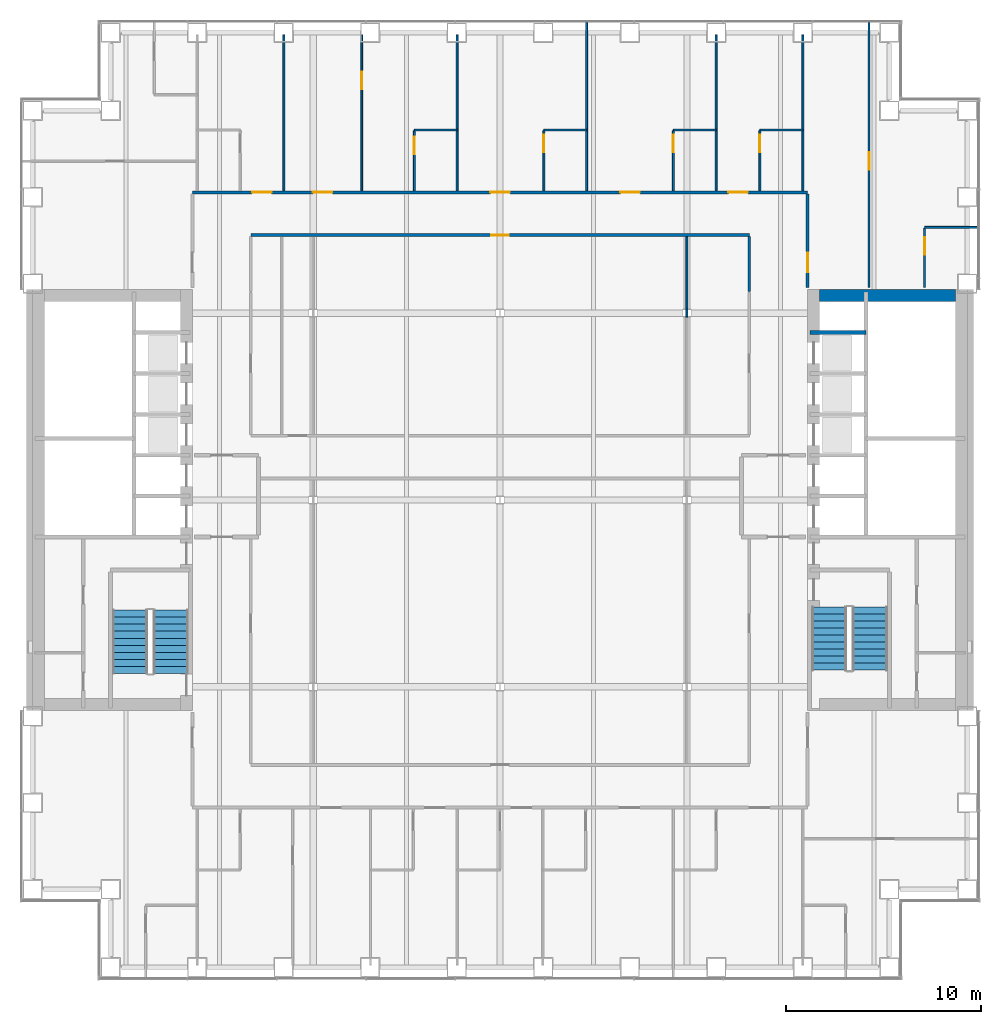
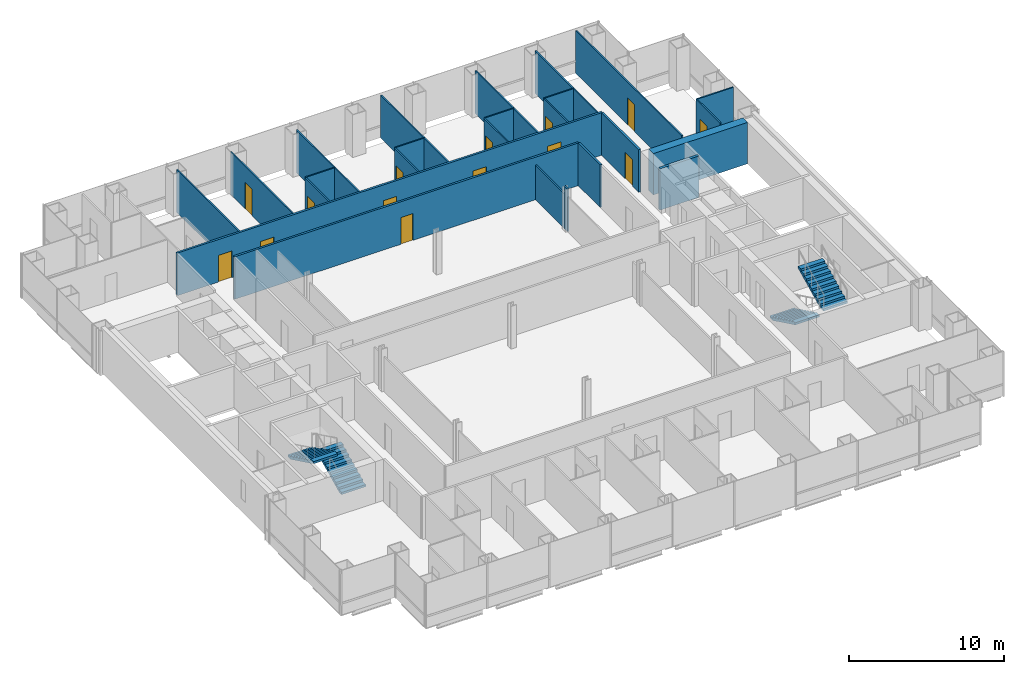
# One storey, part 19 of 21: 25 walls, 14 doors, 4 stair flights, 14 openings, 2 elements without a shape of their own.
"""IFC4 building model written with IfcOpenShell, lengths in metres."""

from ifc_helpers import new_model, si_unit, direction, frame, frame_2d, origin, place, context, subcontext, project, spatial, polyline, rectangle, outline, extrude, material, layer, layer_set, type_object, element, fill, aggregate, save


model = new_model("IFC4")

# Units and contexts
model_context = context("Model", 3, precision=1e-05, world=origin(), true_north=direction((0.0, 1.0)))
body_context = subcontext(model_context, "Body", "Model", "MODEL_VIEW")
ifc_project = project(units=[si_unit("LENGTHUNIT", "METRE"), si_unit("AREAUNIT", "SQUARE_METRE"), si_unit("VOLUMEUNIT", "CUBIC_METRE"), si_unit("PLANEANGLEUNIT", "RADIAN"), si_unit("MASSUNIT", "GRAM", prefix="KILO")], contexts=[model_context])

# Site, building, storey
site_placement = place(None, origin())
site = spatial("IfcSite", under=ifc_project, at=site_placement, CompositionType="ELEMENT")
building_placement = place(site_placement, origin())
building = spatial("IfcBuilding", under=site, at=building_placement, Name="Cobrizo Arcos Hotel Tower", CompositionType="ELEMENT")
storey_placement = place(building_placement, frame((0.0, 0.0, 42.5)))
storey = spatial("IfcBuildingStorey", under=building, at=storey_placement, Name="L08", CompositionType="ELEMENT", Elevation=42.5)

# Wall, opening, door
ifc_material_1 = material(Name="Gypsum board partition")
ifc_layer_1 = layer(ifc_material_1, 0.14990234375)
ifc_layer_set_1 = layer_set([ifc_layer_1], Name="Corridor wall EI 60 150")
wall_type_1 = type_object("IfcWallType", Name="Corridor wall EI 60 150", PredefinedType="PARTITIONING", material=ifc_layer_set_1)
wall_1_placement = place(storey_placement, frame((-12.800048828125, 13.60009765625, 0.0), z_axis=(0.0, 0.0, 1.0), x_axis=(1.0, 0.0, 0.0)))
wall_1 = element("IfcWall", 1, at=wall_1_placement, inside=storey, type_object=wall_type_1, Name="Partition 035", PredefinedType="PARTITIONING", context=body_context, shape_type="SweptSolid", body=[
    extrude(rectangle(XDim=25.60009765625, YDim=0.14990234375, at=frame_2d((12.800048828125, 0.0))), origin(), (0.0, 0.0, 1.0), 3.35009765625),
])
opening_1_placement = place(wall_1_placement, frame((12.35009765625, 0.0, 0.0)))
opening_1 = element("IfcOpeningElement", 2, at=opening_1_placement, cuts=wall_1, Name="Opening RD-12", PredefinedType="OPENING", context=body_context, shape_type="SweptSolid", body=[
    extrude(rectangle(XDim=0.89990234375, YDim=2.10009765625, at=frame_2d((0.449951171875, 1.050048828125))), frame((0.0, 0.0869140625, 0.0), z_axis=(0.0, -1.0, 0.0), x_axis=(1.0, 0.0, 0.0)), (0.0, 0.0, 1.0), 0.173828125),
])
ifc_material_2 = material(Name="Timber door leaf", Category="wood")
door_type_1 = type_object("IfcDoorType", Name="Room door FD30 900x2100", OperationType="SINGLE_SWING_LEFT", PredefinedType="DOOR", material=ifc_material_2)
door_1_placement = place(opening_1_placement, origin())
door_1 = element("IfcDoor", 3, at=door_1_placement, inside=storey, type_object=door_type_1, Name="Door RD-12", OperationType="SINGLE_SWING_LEFT", OverallHeight=2.10009765625, OverallWidth=0.89990234375, PredefinedType="DOOR", context=body_context, shape_type="SweptSolid", body=[
    extrude(rectangle(XDim=0.89990234375, YDim=2.10009765625, at=frame_2d((0.449951171875, 1.050048828125))), frame((0.0, 0.02490234375, 0.0), z_axis=(0.0, -1.0, 0.0), x_axis=(1.0, 0.0, 0.0)), (0.0, 0.0, 1.0), 0.050048828125),
])
fill(opening_1, door_1)

# Wall, openings, doors
wall_2_placement = place(storey_placement, frame((-15.800048828125, 15.800048828125, 0.0), z_axis=(0.0, 0.0, 1.0), x_axis=(1.0, 0.0, 0.0)))
wall_2 = element("IfcWall", 4, at=wall_2_placement, inside=storey, type_object=wall_type_1, Name="Partition 037", PredefinedType="PARTITIONING", context=body_context, shape_type="SweptSolid", body=[
    extrude(rectangle(XDim=31.60009765625, YDim=0.14990234375, at=frame_2d((15.800048828125, 0.0))), origin(), (0.0, 0.0, 1.0), 3.35009765625),
])
opening_2_placement = place(wall_2_placement, frame((3.06689453125, 0.0, 0.0)))
opening_2 = element("IfcOpeningElement", 5, at=opening_2_placement, cuts=wall_2, Name="Opening GD-01", PredefinedType="OPENING", context=body_context, shape_type="SweptSolid", body=[
    extrude(rectangle(XDim=1.0, YDim=2.10009765625, at=frame_2d((0.5, 1.050048828125))), frame((0.0, 0.0869140625, 0.0), z_axis=(0.0, -1.0, 0.0), x_axis=(1.0, 0.0, 0.0)), (0.0, 0.0, 1.0), 0.173828125),
])
opening_3_placement = place(wall_2_placement, frame((6.18896484375, 0.0, 0.0)))
opening_3 = element("IfcOpeningElement", 6, at=opening_3_placement, cuts=wall_2, Name="Opening GD-02", PredefinedType="OPENING", context=body_context, shape_type="SweptSolid", body=[
    extrude(rectangle(XDim=1.0, YDim=2.10009765625, at=frame_2d((0.5, 1.050048828125))), frame((0.0, 0.0869140625, 0.0), z_axis=(0.0, -1.0, 0.0), x_axis=(1.0, 0.0, 0.0)), (0.0, 0.0, 1.0), 0.173828125),
])
opening_4_placement = place(wall_2_placement, frame((15.31103515625, 0.0, 0.0)))
opening_4 = element("IfcOpeningElement", 7, at=opening_4_placement, cuts=wall_2, Name="Opening GD-03", PredefinedType="OPENING", context=body_context, shape_type="SweptSolid", body=[
    extrude(rectangle(XDim=1.0, YDim=2.10009765625, at=frame_2d((0.5, 1.050048828125))), frame((0.0, 0.0869140625, 0.0), z_axis=(0.0, -1.0, 0.0), x_axis=(1.0, 0.0, 0.0)), (0.0, 0.0, 1.0), 0.173828125),
])
opening_5_placement = place(wall_2_placement, frame((21.97705078125, 0.0, 0.0)))
opening_5 = element("IfcOpeningElement", 8, at=opening_5_placement, cuts=wall_2, Name="Opening GD-04", PredefinedType="OPENING", context=body_context, shape_type="SweptSolid", body=[
    extrude(rectangle(XDim=1.0, YDim=2.10009765625, at=frame_2d((0.5, 1.050048828125))), frame((0.0, 0.0869140625, 0.0), z_axis=(0.0, -1.0, 0.0), x_axis=(1.0, 0.0, 0.0)), (0.0, 0.0, 1.0), 0.173828125),
])
opening_6_placement = place(wall_2_placement, frame((27.533935546875, 0.0, 0.0)))
opening_6 = element("IfcOpeningElement", 9, at=opening_6_placement, cuts=wall_2, Name="Opening GD-05", PredefinedType="OPENING", context=body_context, shape_type="SweptSolid", body=[
    extrude(rectangle(XDim=1.0, YDim=2.10009765625, at=frame_2d((0.5, 1.050048828125))), frame((0.0, 0.0869140625, 0.0), z_axis=(0.0, -1.0, 0.0), x_axis=(1.0, 0.0, 0.0)), (0.0, 0.0, 1.0), 0.173828125),
])
door_type_2 = type_object("IfcDoorType", Name="Guest room door FD30S 1000x2100", OperationType="SINGLE_SWING_LEFT", PredefinedType="DOOR", material=ifc_material_2)
door_2_placement = place(opening_2_placement, origin())
door_2 = element("IfcDoor", 10, at=door_2_placement, inside=storey, type_object=door_type_2, Name="Door GD-01", OperationType="SINGLE_SWING_RIGHT", OverallHeight=2.10009765625, OverallWidth=1.0, PredefinedType="DOOR", context=body_context, shape_type="SweptSolid", body=[
    extrude(rectangle(XDim=1.0, YDim=2.10009765625, at=frame_2d((0.5, 1.050048828125))), frame((0.0, 0.02490234375, 0.0), z_axis=(0.0, -1.0, 0.0), x_axis=(1.0, 0.0, 0.0)), (0.0, 0.0, 1.0), 0.050048828125),
])
fill(opening_2, door_2)
door_3_placement = place(opening_3_placement, origin())
door_3 = element("IfcDoor", 11, at=door_3_placement, inside=storey, type_object=door_type_2, Name="Door GD-02", OperationType="SINGLE_SWING_LEFT", OverallHeight=2.10009765625, OverallWidth=1.0, PredefinedType="DOOR", context=body_context, shape_type="SweptSolid", body=[
    extrude(rectangle(XDim=1.0, YDim=2.10009765625, at=frame_2d((0.5, 1.050048828125))), frame((0.0, 0.02490234375, 0.0), z_axis=(0.0, -1.0, 0.0), x_axis=(1.0, 0.0, 0.0)), (0.0, 0.0, 1.0), 0.050048828125),
])
fill(opening_3, door_3)
door_4_placement = place(opening_4_placement, origin())
door_4 = element("IfcDoor", 12, at=door_4_placement, inside=storey, type_object=door_type_2, Name="Door GD-03", OperationType="SINGLE_SWING_LEFT", OverallHeight=2.10009765625, OverallWidth=1.0, PredefinedType="DOOR", context=body_context, shape_type="SweptSolid", body=[
    extrude(rectangle(XDim=1.0, YDim=2.10009765625, at=frame_2d((0.5, 1.050048828125))), frame((0.0, 0.02490234375, 0.0), z_axis=(0.0, -1.0, 0.0), x_axis=(1.0, 0.0, 0.0)), (0.0, 0.0, 1.0), 0.050048828125),
])
fill(opening_4, door_4)
door_5_placement = place(opening_5_placement, origin())
door_5 = element("IfcDoor", 13, at=door_5_placement, inside=storey, type_object=door_type_2, Name="Door GD-04", OperationType="SINGLE_SWING_RIGHT", OverallHeight=2.10009765625, OverallWidth=1.0, PredefinedType="DOOR", context=body_context, shape_type="SweptSolid", body=[
    extrude(rectangle(XDim=1.0, YDim=2.10009765625, at=frame_2d((0.5, 1.050048828125))), frame((0.0, 0.02490234375, 0.0), z_axis=(0.0, -1.0, 0.0), x_axis=(1.0, 0.0, 0.0)), (0.0, 0.0, 1.0), 0.050048828125),
])
fill(opening_5, door_5)
door_6_placement = place(opening_6_placement, origin())
door_6 = element("IfcDoor", 14, at=door_6_placement, inside=storey, type_object=door_type_2, Name="Door GD-05", OperationType="SINGLE_SWING_RIGHT", OverallHeight=2.10009765625, OverallWidth=1.0, PredefinedType="DOOR", context=body_context, shape_type="SweptSolid", body=[
    extrude(rectangle(XDim=1.0, YDim=2.10009765625, at=frame_2d((0.5, 1.050048828125))), frame((0.0, 0.02490234375, 0.0), z_axis=(0.0, -1.0, 0.0), x_axis=(1.0, 0.0, 0.0)), (0.0, 0.0, 1.0), 0.050048828125),
])
fill(opening_6, door_6)

# Wall
wall_3_placement = place(storey_placement, frame((12.800048828125, 10.699951171875, 0.0), z_axis=(0.0, 0.0, 1.0), x_axis=(0.0, 1.0, 0.0)))
element("IfcWall", 15, at=wall_3_placement, inside=storey, type_object=wall_type_1, Name="Partition 097", PredefinedType="PARTITIONING", context=body_context, shape_type="SweptSolid", body=[
    extrude(rectangle(XDim=2.824951171875, YDim=0.14990234375, at=frame_2d((1.41259765625, 0.0))), origin(), (0.0, 0.0, 1.0), 3.35009765625),
])

# Wall, opening, door
wall_4_placement = place(storey_placement, frame((15.800048828125, 10.919921875, 0.0), z_axis=(0.0, 0.0, 1.0), x_axis=(0.0, 1.0, 0.0)))
wall_4 = element("IfcWall", 16, at=wall_4_placement, inside=storey, type_object=wall_type_1, Name="Partition 102", PredefinedType="PARTITIONING", context=body_context, shape_type="SweptSolid", body=[
    extrude(rectangle(XDim=4.80517578125, YDim=0.14990234375, at=frame_2d((2.402587890625, 0.0))), origin(), (0.0, 0.0, 1.0), 3.35009765625),
])
opening_7_placement = place(wall_4_placement, frame((0.780029296875, 0.0, 0.0)))
opening_7 = element("IfcOpeningElement", 17, at=opening_7_placement, cuts=wall_4, Name="Opening GD-14", PredefinedType="OPENING", context=body_context, shape_type="SweptSolid", body=[
    extrude(rectangle(XDim=1.0, YDim=2.10009765625, at=frame_2d((0.5, 1.050048828125))), frame((0.0, 0.0869140625, 0.0), z_axis=(0.0, -1.0, 0.0), x_axis=(1.0, 0.0, 0.0)), (0.0, 0.0, 1.0), 0.173828125),
])
door_7_placement = place(opening_7_placement, origin())
door_7 = element("IfcDoor", 18, at=door_7_placement, inside=storey, type_object=door_type_2, Name="Door GD-14", OperationType="SINGLE_SWING_LEFT", OverallHeight=2.10009765625, OverallWidth=1.0, PredefinedType="DOOR", context=body_context, shape_type="SweptSolid", body=[
    extrude(rectangle(XDim=1.0, YDim=2.10009765625, at=frame_2d((0.5, 1.050048828125))), frame((0.0, 0.02490234375, 0.0), z_axis=(0.0, -1.0, 0.0), x_axis=(1.0, 0.0, 0.0)), (0.0, 0.0, 1.0), 0.050048828125),
])
fill(opening_7, door_7)

# Walls
ifc_layer_2 = layer(ifc_material_1, 0.10009765625)
ifc_layer_set_2 = layer_set([ifc_layer_2], Name="Partition EI 30 100")
wall_type_2 = type_object("IfcWallType", Name="Partition EI 30 100", PredefinedType="PARTITIONING", material=ifc_layer_set_2)
wall_5_placement = place(storey_placement, frame((21.800048828125, 14.0, 0.0), z_axis=(0.0, 0.0, 1.0), x_axis=(1.0, 0.0, 0.0)))
element("IfcWall", 19, at=wall_5_placement, inside=storey, type_object=wall_type_2, Name="Partition 036", PredefinedType="PARTITIONING", context=body_context, shape_type="SweptSolid", body=[
    extrude(rectangle(XDim=2.72998046875, YDim=0.10009765625, at=frame_2d((1.364990234375, 0.0))), origin(), (0.0, 0.0, 1.0), 3.35009765625),
])
for number, where, z_axis, x_axis, name in (
    (20, (-4.39990234375, 19.0, 0.0), (0.0, 0.0, 1.0), (1.0, 0.0, 0.0), "Partition 040"),
    (21, (2.25, 19.0, 0.0), (0.0, 0.0, 1.0), (1.0, 0.0, 0.0), "Partition 041"),
):
    element("IfcWall", number, at=place(storey_placement, frame(where, z_axis=z_axis, x_axis=x_axis)), inside=storey, type_object=wall_type_2, Name=name, PredefinedType="PARTITIONING", context=body_context, shape_type="SweptSolid", body=[
        extrude(rectangle(XDim=2.199951171875, YDim=0.10009765625, at=frame_2d((1.10009765625, 0.0))), origin(), (0.0, 0.0, 1.0), 3.35009765625),
    ])
wall_6_placement = place(storey_placement, frame((8.89990234375, 19.0, 0.0), z_axis=(0.0, 0.0, 1.0), x_axis=(1.0, 0.0, 0.0)))
element("IfcWall", 22, at=wall_6_placement, inside=storey, type_object=wall_type_2, Name="Partition 042", PredefinedType="PARTITIONING", context=body_context, shape_type="SweptSolid", body=[
    extrude(rectangle(XDim=2.2001953125, YDim=0.10009765625, at=frame_2d((1.10009765625, 0.0))), origin(), (0.0, 0.0, 1.0), 3.35009765625),
])
wall_7_placement = place(storey_placement, frame((13.35009765625, 19.0, 0.0), z_axis=(0.0, 0.0, 1.0), x_axis=(1.0, 0.0, 0.0)))
element("IfcWall", 23, at=wall_7_placement, inside=storey, type_object=wall_type_2, Name="Partition 043", PredefinedType="PARTITIONING", context=body_context, shape_type="SweptSolid", body=[
    extrude(rectangle(XDim=2.199951171875, YDim=0.10009765625, at=frame_2d((1.10009765625, 0.0))), origin(), (0.0, 0.0, 1.0), 3.35009765625),
])
wall_8_placement = place(storey_placement, frame((-11.10009765625, 15.875, 0.0), z_axis=(0.0, 0.0, 1.0), x_axis=(0.0, 1.0, 0.0)))
element("IfcWall", 24, at=wall_8_placement, inside=storey, type_object=wall_type_2, Name="Partition 061", PredefinedType="PARTITIONING", context=body_context, shape_type="SweptSolid", body=[
    extrude(rectangle(XDim=8.0048828125, YDim=0.10009765625, at=frame_2d((4.00244140625, 0.0))), origin(), (0.0, 0.0, 1.0), 3.35009765625),
])

# Wall, opening, door
wall_9_placement = place(storey_placement, frame((-7.10009765625, 15.875, 0.0), z_axis=(0.0, 0.0, 1.0), x_axis=(0.0, 1.0, 0.0)))
wall_9 = element("IfcWall", 25, at=wall_9_placement, inside=storey, type_object=wall_type_2, Name="Partition 071", PredefinedType="PARTITIONING", context=body_context, shape_type="SweptSolid", body=[
    extrude(rectangle(XDim=8.0048828125, YDim=0.10009765625, at=frame_2d((4.00244140625, 0.0))), origin(), (0.0, 0.0, 1.0), 3.35009765625),
])
opening_8_placement = place(wall_9_placement, frame((5.215087890625, 0.0, 0.0)))
opening_8 = element("IfcOpeningElement", 26, at=opening_8_placement, cuts=wall_9, Name="Opening RD-04", PredefinedType="OPENING", context=body_context, shape_type="SweptSolid", body=[
    extrude(rectangle(XDim=0.89990234375, YDim=2.10009765625, at=frame_2d((0.449951171875, 1.050048828125))), frame((0.0, 0.06201171875, 0.0), z_axis=(0.0, -1.0, 0.0), x_axis=(1.0, 0.0, 0.0)), (0.0, 0.0, 1.0), 0.1240234375),
])
door_8_placement = place(opening_8_placement, origin())
door_8 = element("IfcDoor", 27, at=door_8_placement, inside=storey, type_object=door_type_1, Name="Door RD-04", OperationType="SINGLE_SWING_LEFT", OverallHeight=2.10009765625, OverallWidth=0.89990234375, PredefinedType="DOOR", context=body_context, shape_type="SweptSolid", body=[
    extrude(rectangle(XDim=0.89990234375, YDim=2.10009765625, at=frame_2d((0.449951171875, 1.050048828125))), frame((0.0, 0.02490234375, 0.0), z_axis=(0.0, -1.0, 0.0), x_axis=(1.0, 0.0, 0.0)), (0.0, 0.0, 1.0), 0.050048828125),
])
fill(opening_8, door_8)

wall_10_placement = place(storey_placement, frame((-4.39990234375, 15.875, 0.0), z_axis=(0.0, 0.0, 1.0), x_axis=(0.0, 1.0, 0.0)))
wall_10 = element("IfcWall", 28, at=wall_10_placement, inside=storey, type_object=wall_type_2, Name="Partition 074", PredefinedType="PARTITIONING", context=body_context, shape_type="SweptSolid", body=[
    extrude(rectangle(XDim=3.074951171875, YDim=0.10009765625, at=frame_2d((1.53759765625, 0.0))), origin(), (0.0, 0.0, 1.0), 3.35009765625),
])
opening_9_placement = place(wall_10_placement, frame((1.875, 0.0, 0.0)))
opening_9 = element("IfcOpeningElement", 29, at=opening_9_placement, cuts=wall_10, Name="Opening ED-03", PredefinedType="OPENING", context=body_context, shape_type="SweptSolid", body=[
    extrude(rectangle(XDim=0.89990234375, YDim=2.10009765625, at=frame_2d((0.449951171875, 1.050048828125))), frame((0.0, 0.06201171875, 0.0), z_axis=(0.0, -1.0, 0.0), x_axis=(1.0, 0.0, 0.0)), (0.0, 0.0, 1.0), 0.1240234375),
])
door_type_3 = type_object("IfcDoorType", Name="En-suite door 900x2100", OperationType="SINGLE_SWING_LEFT", PredefinedType="DOOR", material=ifc_material_2)
door_9_placement = place(opening_9_placement, origin())
door_9 = element("IfcDoor", 30, at=door_9_placement, inside=storey, type_object=door_type_3, Name="Door ED-03", OperationType="SINGLE_SWING_RIGHT", OverallHeight=2.10009765625, OverallWidth=0.89990234375, PredefinedType="DOOR", context=body_context, shape_type="SweptSolid", body=[
    extrude(rectangle(XDim=0.89990234375, YDim=2.10009765625, at=frame_2d((0.449951171875, 1.050048828125))), frame((0.0, 0.02490234375, 0.0), z_axis=(0.0, -1.0, 0.0), x_axis=(1.0, 0.0, 0.0)), (0.0, 0.0, 1.0), 0.050048828125),
])
fill(opening_9, door_9)

# Wall
wall_11_placement = place(storey_placement, frame((-2.199951171875, 15.875, 0.0), z_axis=(0.0, 0.0, 1.0), x_axis=(0.0, 1.0, 0.0)))
element("IfcWall", 31, at=wall_11_placement, inside=storey, type_object=wall_type_2, Name="Partition 076", PredefinedType="PARTITIONING", context=body_context, shape_type="SweptSolid", body=[
    extrude(rectangle(XDim=8.0048828125, YDim=0.10009765625, at=frame_2d((4.00244140625, 0.0))), origin(), (0.0, 0.0, 1.0), 3.35009765625),
])

# Wall, opening, door
wall_12_placement = place(storey_placement, frame((2.25, 15.875, 0.0), z_axis=(0.0, 0.0, 1.0), x_axis=(0.0, 1.0, 0.0)))
wall_12 = element("IfcWall", 32, at=wall_12_placement, inside=storey, type_object=wall_type_2, Name="Partition 079", PredefinedType="PARTITIONING", context=body_context, shape_type="SweptSolid", body=[
    extrude(rectangle(XDim=3.074951171875, YDim=0.10009765625, at=frame_2d((1.53759765625, 0.0))), origin(), (0.0, 0.0, 1.0), 3.35009765625),
])
opening_10_placement = place(wall_12_placement, frame((1.970947265625, 0.0, 0.0)))
opening_10 = element("IfcOpeningElement", 33, at=opening_10_placement, cuts=wall_12, Name="Opening ED-04", PredefinedType="OPENING", context=body_context, shape_type="SweptSolid", body=[
    extrude(rectangle(XDim=0.89990234375, YDim=2.10009765625, at=frame_2d((0.449951171875, 1.050048828125))), frame((0.0, 0.06201171875, 0.0), z_axis=(0.0, -1.0, 0.0), x_axis=(1.0, 0.0, 0.0)), (0.0, 0.0, 1.0), 0.1240234375),
])
door_10_placement = place(opening_10_placement, origin())
door_10 = element("IfcDoor", 34, at=door_10_placement, inside=storey, type_object=door_type_3, Name="Door ED-04", OperationType="SINGLE_SWING_RIGHT", OverallHeight=2.10009765625, OverallWidth=0.89990234375, PredefinedType="DOOR", context=body_context, shape_type="SweptSolid", body=[
    extrude(rectangle(XDim=0.89990234375, YDim=2.10009765625, at=frame_2d((0.449951171875, 1.050048828125))), frame((0.0, 0.02490234375, 0.0), z_axis=(0.0, -1.0, 0.0), x_axis=(1.0, 0.0, 0.0)), (0.0, 0.0, 1.0), 0.050048828125),
])
fill(opening_10, door_10)

# Wall
wall_13_placement = place(storey_placement, frame((4.449951171875, 15.875, 0.0), z_axis=(0.0, 0.0, 1.0), x_axis=(0.0, 1.0, 0.0)))
element("IfcWall", 35, at=wall_13_placement, inside=storey, type_object=wall_type_2, Name="Partition 081", PredefinedType="PARTITIONING", context=body_context, shape_type="SweptSolid", body=[
    extrude(rectangle(XDim=8.655029296875, YDim=0.10009765625, at=frame_2d((4.32763671875, 0.0))), origin(), (0.0, 0.0, 1.0), 3.35009765625),
])

# Wall, opening, door
wall_14_placement = place(storey_placement, frame((8.89990234375, 15.875, 0.0), z_axis=(0.0, 0.0, 1.0), x_axis=(0.0, 1.0, 0.0)))
wall_14 = element("IfcWall", 36, at=wall_14_placement, inside=storey, type_object=wall_type_2, Name="Partition 083", PredefinedType="PARTITIONING", context=body_context, shape_type="SweptSolid", body=[
    extrude(rectangle(XDim=3.074951171875, YDim=0.10009765625, at=frame_2d((1.53759765625, 0.0))), origin(), (0.0, 0.0, 1.0), 3.35009765625),
])
opening_11_placement = place(wall_14_placement, frame((1.970947265625, 0.0, 0.0)))
opening_11 = element("IfcOpeningElement", 37, at=opening_11_placement, cuts=wall_14, Name="Opening ED-05", PredefinedType="OPENING", context=body_context, shape_type="SweptSolid", body=[
    extrude(rectangle(XDim=0.89990234375, YDim=2.10009765625, at=frame_2d((0.449951171875, 1.050048828125))), frame((0.0, 0.06201171875, 0.0), z_axis=(0.0, -1.0, 0.0), x_axis=(1.0, 0.0, 0.0)), (0.0, 0.0, 1.0), 0.1240234375),
])
door_11_placement = place(opening_11_placement, origin())
door_11 = element("IfcDoor", 38, at=door_11_placement, inside=storey, type_object=door_type_3, Name="Door ED-05", OperationType="SINGLE_SWING_LEFT", OverallHeight=2.10009765625, OverallWidth=0.89990234375, PredefinedType="DOOR", context=body_context, shape_type="SweptSolid", body=[
    extrude(rectangle(XDim=0.89990234375, YDim=2.10009765625, at=frame_2d((0.449951171875, 1.050048828125))), frame((0.0, 0.02490234375, 0.0), z_axis=(0.0, -1.0, 0.0), x_axis=(1.0, 0.0, 0.0)), (0.0, 0.0, 1.0), 0.050048828125),
])
fill(opening_11, door_11)

# Walls
wall_15_placement = place(storey_placement, frame((9.60009765625, 9.39599609375, 0.0), z_axis=(0.0, 0.0, 1.0), x_axis=(0.0, 1.0, 0.0)))
element("IfcWall", 39, at=wall_15_placement, inside=storey, type_object=wall_type_2, Name="Partition 090", PredefinedType="PARTITIONING", context=body_context, shape_type="SweptSolid", body=[
    extrude(rectangle(XDim=0.407958984375, YDim=0.10009765625, at=frame_2d((0.2041015625, 0.0))), origin(), (0.0, 0.0, 1.0), 3.35009765625),
])
wall_16_placement = place(storey_placement, frame((9.60009765625, 9.803955078125, 0.0), z_axis=(0.0, 0.0, 1.0), x_axis=(0.0, 1.0, 0.0)))
element("IfcWall", 40, at=wall_16_placement, inside=storey, type_object=wall_type_2, Name="Partition 091", PredefinedType="PARTITIONING", context=body_context, shape_type="SweptSolid", body=[
    extrude(rectangle(XDim=3.720947265625, YDim=0.10009765625, at=frame_2d((1.8603515625, 0.0))), origin(), (0.0, 0.0, 1.0), 2.72802734375),
])
wall_17_placement = place(storey_placement, frame((11.10009765625, 15.875, 0.0), z_axis=(0.0, 0.0, 1.0), x_axis=(0.0, 1.0, 0.0)))
element("IfcWall", 41, at=wall_17_placement, inside=storey, type_object=wall_type_2, Name="Partition 093", PredefinedType="PARTITIONING", context=body_context, shape_type="SweptSolid", body=[
    extrude(rectangle(XDim=8.0048828125, YDim=0.10009765625, at=frame_2d((4.00244140625, 0.0))), origin(), (0.0, 0.0, 1.0), 3.35009765625),
])

# Wall, opening, door
wall_18_placement = place(storey_placement, frame((13.35009765625, 15.875, 0.0), z_axis=(0.0, 0.0, 1.0), x_axis=(0.0, 1.0, 0.0)))
wall_18 = element("IfcWall", 42, at=wall_18_placement, inside=storey, type_object=wall_type_2, Name="Partition 098", PredefinedType="PARTITIONING", context=body_context, shape_type="SweptSolid", body=[
    extrude(rectangle(XDim=3.074951171875, YDim=0.10009765625, at=frame_2d((1.53759765625, 0.0))), origin(), (0.0, 0.0, 1.0), 3.35009765625),
])
opening_12_placement = place(wall_18_placement, frame((1.970947265625, 0.0, 0.0)))
opening_12 = element("IfcOpeningElement", 43, at=opening_12_placement, cuts=wall_18, Name="Opening ED-06", PredefinedType="OPENING", context=body_context, shape_type="SweptSolid", body=[
    extrude(rectangle(XDim=0.89990234375, YDim=2.10009765625, at=frame_2d((0.449951171875, 1.050048828125))), frame((0.0, 0.06201171875, 0.0), z_axis=(0.0, -1.0, 0.0), x_axis=(1.0, 0.0, 0.0)), (0.0, 0.0, 1.0), 0.1240234375),
])
door_12_placement = place(opening_12_placement, origin())
door_12 = element("IfcDoor", 44, at=door_12_placement, inside=storey, type_object=door_type_3, Name="Door ED-06", OperationType="SINGLE_SWING_RIGHT", OverallHeight=2.10009765625, OverallWidth=0.89990234375, PredefinedType="DOOR", context=body_context, shape_type="SweptSolid", body=[
    extrude(rectangle(XDim=0.89990234375, YDim=2.10009765625, at=frame_2d((0.449951171875, 1.050048828125))), frame((0.0, 0.02490234375, 0.0), z_axis=(0.0, -1.0, 0.0), x_axis=(1.0, 0.0, 0.0)), (0.0, 0.0, 1.0), 0.050048828125),
])
fill(opening_12, door_12)

# Wall
wall_19_placement = place(storey_placement, frame((15.550048828125, 15.875, 0.0), z_axis=(0.0, 0.0, 1.0), x_axis=(0.0, 1.0, 0.0)))
element("IfcWall", 45, at=wall_19_placement, inside=storey, type_object=wall_type_2, Name="Partition 100", PredefinedType="PARTITIONING", context=body_context, shape_type="SweptSolid", body=[
    extrude(rectangle(XDim=8.0048828125, YDim=0.10009765625, at=frame_2d((4.00244140625, 0.0))), origin(), (0.0, 0.0, 1.0), 3.35009765625),
])

# Wall, opening, door
wall_20_placement = place(storey_placement, frame((18.949951171875, 10.919921875, 0.0), z_axis=(0.0, 0.0, 1.0), x_axis=(0.0, 1.0, 0.0)))
wall_20 = element("IfcWall", 46, at=wall_20_placement, inside=storey, type_object=wall_type_2, Name="Partition 105", PredefinedType="PARTITIONING", context=body_context, shape_type="SweptSolid", body=[
    extrude(rectangle(XDim=13.610107421875, YDim=0.10009765625, at=frame_2d((6.80517578125, 0.0))), origin(), (0.0, 0.0, 1.0), 3.35009765625),
])
opening_13_placement = place(wall_20_placement, frame((6.030029296875, 0.0, 0.0)))
opening_13 = element("IfcOpeningElement", 47, at=opening_13_placement, cuts=wall_20, Name="Opening RD-08", PredefinedType="OPENING", context=body_context, shape_type="SweptSolid", body=[
    extrude(rectangle(XDim=0.89990234375, YDim=2.10009765625, at=frame_2d((0.449951171875, 1.050048828125))), frame((0.0, 0.06201171875, 0.0), z_axis=(0.0, -1.0, 0.0), x_axis=(1.0, 0.0, 0.0)), (0.0, 0.0, 1.0), 0.1240234375),
])
door_13_placement = place(opening_13_placement, origin())
door_13 = element("IfcDoor", 48, at=door_13_placement, inside=storey, type_object=door_type_1, Name="Door RD-08", OperationType="SINGLE_SWING_RIGHT", OverallHeight=2.10009765625, OverallWidth=0.89990234375, PredefinedType="DOOR", context=body_context, shape_type="SweptSolid", body=[
    extrude(rectangle(XDim=0.89990234375, YDim=2.10009765625, at=frame_2d((0.449951171875, 1.050048828125))), frame((0.0, 0.02490234375, 0.0), z_axis=(0.0, -1.0, 0.0), x_axis=(1.0, 0.0, 0.0)), (0.0, 0.0, 1.0), 0.050048828125),
])
fill(opening_13, door_13)

wall_21_placement = place(storey_placement, frame((21.800048828125, 10.919921875, 0.0), z_axis=(0.0, 0.0, 1.0), x_axis=(0.0, 1.0, 0.0)))
wall_21 = element("IfcWall", 49, at=wall_21_placement, inside=storey, type_object=wall_type_2, Name="Partition 108", PredefinedType="PARTITIONING", context=body_context, shape_type="SweptSolid", body=[
    extrude(rectangle(XDim=3.030029296875, YDim=0.10009765625, at=frame_2d((1.51513671875, 0.0))), origin(), (0.0, 0.0, 1.0), 3.35009765625),
])
opening_14_placement = place(wall_21_placement, frame((1.669921875, 0.0, 0.0)))
opening_14 = element("IfcOpeningElement", 50, at=opening_14_placement, cuts=wall_21, Name="Opening ED-15", PredefinedType="OPENING", context=body_context, shape_type="SweptSolid", body=[
    extrude(rectangle(XDim=0.89990234375, YDim=2.10009765625, at=frame_2d((0.449951171875, 1.050048828125))), frame((0.0, 0.06201171875, 0.0), z_axis=(0.0, -1.0, 0.0), x_axis=(1.0, 0.0, 0.0)), (0.0, 0.0, 1.0), 0.1240234375),
])
door_14_placement = place(opening_14_placement, origin())
door_14 = element("IfcDoor", 51, at=door_14_placement, inside=storey, type_object=door_type_3, Name="Door ED-15", OperationType="SINGLE_SWING_LEFT", OverallHeight=2.10009765625, OverallWidth=0.89990234375, PredefinedType="DOOR", context=body_context, shape_type="SweptSolid", body=[
    extrude(rectangle(XDim=0.89990234375, YDim=2.10009765625, at=frame_2d((0.449951171875, 1.050048828125))), frame((0.0, 0.02490234375, 0.0), z_axis=(0.0, -1.0, 0.0), x_axis=(1.0, 0.0, 0.0)), (0.0, 0.0, 1.0), 0.050048828125),
])
fill(opening_14, door_14)

# Walls
ifc_material_3 = material(Name="Concrete f'c 60 MPa", Category="concrete")
ifc_layer_3 = layer(ifc_material_3, 0.60009765625)
ifc_layer_set_3 = layer_set([ifc_layer_3], Name="RC core wall 600 f'c 60")
wall_type_3 = type_object("IfcWallType", Name="RC core wall 600 f'c 60", PredefinedType="SHEAR", material=ifc_layer_set_3)
wall_22_placement = place(storey_placement, frame((16.39990234375, 10.5, 0.0), z_axis=(0.0, 0.0, 1.0), x_axis=(1.0, 0.0, 0.0)))
element("IfcWall", 52, at=wall_22_placement, inside=storey, type_object=wall_type_3, Name="Core wall CW1, east core, north end, L08", PredefinedType="SHEAR", context=body_context, shape_type="SweptSolid", body=[
    extrude(rectangle(XDim=7.0, YDim=0.60009765625, at=frame_2d((3.5, 0.0))), origin(), (0.0, 0.0, 1.0), 3.25),
])
ifc_layer_4 = layer(ifc_material_1, 0.199951171875)
ifc_layer_set_4 = layer_set([ifc_layer_4], Name="Shaft wall EI 120 200")
wall_type_4 = type_object("IfcWallType", Name="Shaft wall EI 120 200", PredefinedType="PARTITIONING", material=ifc_layer_set_4)
wall_23_placement = place(storey_placement, frame((15.919921875, 8.60009765625, 0.0), z_axis=(0.0, 0.0, 1.0), x_axis=(1.0, 0.0, 0.0)))
element("IfcWall", 53, at=wall_23_placement, inside=storey, type_object=wall_type_4, Name="Partition 034", PredefinedType="PARTITIONING", context=body_context, shape_type="SweptSolid", body=[
    extrude(rectangle(XDim=2.880126953125, YDim=0.199951171875, at=frame_2d((1.43994140625, 0.0))), origin(), (0.0, 0.0, 1.0), 3.25),
])

# Stair, stair flights
ifc_material_4 = material(Name="Concrete f'c 40 MPa", Category="concrete")
stair_type = type_object("IfcStairType", Name="Exit stair", PredefinedType="HALF_TURN_STAIR", material=ifc_material_4)
stair_1_placement = place(storey_placement, origin())
stair_1 = element("IfcStair", 54, at=stair_1_placement, inside=storey, type_object=stair_type, Name="L08 Exit stair ST-W", PredefinedType="HALF_TURN_STAIR")
stair_flight_type = type_object("IfcStairFlightType", Name="Exit stair flight", PredefinedType="STRAIGHT", material=ifc_material_4)
stair_flight_1_placement = place(storey_placement, frame((-16.89990234375, -8.89990234375, 0.0), z_axis=(0.0, 0.0, 1.0), x_axis=(0.0, 1.0, 0.0)))
stair_flight_1 = element("IfcStairFlight", 55, at=stair_flight_1_placement, type_object=stair_flight_type, Name="ST-W flight 1", NumberOfRisers=10, NumberOfTreads=9, PredefinedType="STRAIGHT", RiserHeight=0.175, TreadLength=0.36, context=body_context, shape_type="SweptSolid", body=[
    extrude(outline(polyline([(0.0, 0.0), (0.0, 0.175048828125), (0.360107421875, 0.175048828125), (0.360107421875, 0.35009765625), (0.719970703125, 0.35009765625), (0.719970703125, 0.52490234375), (1.080078125, 0.52490234375), (1.080078125, 0.699951171875), (1.43994140625, 0.699951171875), (1.43994140625, 0.875), (1.800048828125, 0.875), (1.800048828125, 1.050048828125), (2.159912109375, 1.050048828125), (2.159912109375, 1.22509765625), (2.52001953125, 1.22509765625), (2.52001953125, 1.39990234375), (2.8798828125, 1.39990234375), (2.8798828125, 1.574951171875), (3.239990234375, 1.574951171875), (3.239990234375, 1.75), (3.239990234375, 1.408203125), (0.3427734375, 0.0), (0.0, 0.0)])), frame((0.0, 0.89990234375, 0.0), z_axis=(0.0, -1.0, 0.0), x_axis=(1.0, 0.0, 0.0)), (0.0, 0.0, 1.0), 1.800048828125),
])
stair_flight_2_placement = place(storey_placement, frame((-19.0, -5.659912109375, 1.75), z_axis=(0.0, 0.0, 1.0), x_axis=(0.0, -1.0, 0.0)))
stair_flight_2 = element("IfcStairFlight", 56, at=stair_flight_2_placement, type_object=stair_flight_type, Name="ST-W flight 2", NumberOfRisers=10, NumberOfTreads=9, PredefinedType="STRAIGHT", RiserHeight=0.175, TreadLength=0.36, context=body_context, shape_type="SweptSolid", body=[
    extrude(outline(polyline([(0.0, 0.0), (0.0, 0.175048828125), (0.360107421875, 0.175048828125), (0.360107421875, 0.35009765625), (0.719970703125, 0.35009765625), (0.719970703125, 0.52490234375), (1.080078125, 0.52490234375), (1.080078125, 0.699951171875), (1.43994140625, 0.699951171875), (1.43994140625, 0.875), (1.800048828125, 0.875), (1.800048828125, 1.050048828125), (2.159912109375, 1.050048828125), (2.159912109375, 1.22509765625), (2.52001953125, 1.22509765625), (2.52001953125, 1.39990234375), (2.8798828125, 1.39990234375), (2.8798828125, 1.574951171875), (3.239990234375, 1.574951171875), (3.239990234375, 1.75), (3.239990234375, 1.408203125), (0.3427734375, 0.0), (0.0, 0.0)])), frame((0.0, 0.89990234375, 0.0), z_axis=(0.0, -1.0, 0.0), x_axis=(1.0, 0.0, 0.0)), (0.0, 0.0, 1.0), 1.800048828125),
])
aggregate(stair_1, [stair_flight_1, stair_flight_2])

stair_2_placement = place(storey_placement, origin())
stair_2 = element("IfcStair", 57, at=stair_2_placement, inside=storey, type_object=stair_type, Name="L08 Exit stair ST-E", PredefinedType="HALF_TURN_STAIR")
stair_flight_3_placement = place(storey_placement, frame((16.89990234375, -5.5, 0.0), z_axis=(0.0, 0.0, 1.0), x_axis=(0.0, -1.0, 0.0)))
stair_flight_3 = element("IfcStairFlight", 58, at=stair_flight_3_placement, type_object=stair_flight_type, Name="ST-E flight 1", NumberOfRisers=10, NumberOfTreads=9, PredefinedType="STRAIGHT", RiserHeight=0.175, TreadLength=0.36, context=body_context, shape_type="SweptSolid", body=[
    extrude(outline(polyline([(0.0, 0.0), (0.0, 0.175048828125), (0.360107421875, 0.175048828125), (0.360107421875, 0.35009765625), (0.719970703125, 0.35009765625), (0.719970703125, 0.52490234375), (1.080078125, 0.52490234375), (1.080078125, 0.699951171875), (1.43994140625, 0.699951171875), (1.43994140625, 0.875), (1.800048828125, 0.875), (1.800048828125, 1.050048828125), (2.159912109375, 1.050048828125), (2.159912109375, 1.22509765625), (2.52001953125, 1.22509765625), (2.52001953125, 1.39990234375), (2.8798828125, 1.39990234375), (2.8798828125, 1.574951171875), (3.239990234375, 1.574951171875), (3.239990234375, 1.75), (3.239990234375, 1.408203125), (0.3427734375, 0.0), (0.0, 0.0)])), frame((0.0, 0.89990234375, 0.0), z_axis=(0.0, -1.0, 0.0), x_axis=(1.0, 0.0, 0.0)), (0.0, 0.0, 1.0), 1.800048828125),
])
stair_flight_4_placement = place(storey_placement, frame((19.0, -8.739990234375, 1.75), z_axis=(0.0, 0.0, 1.0), x_axis=(0.0, 1.0, 0.0)))
stair_flight_4 = element("IfcStairFlight", 59, at=stair_flight_4_placement, type_object=stair_flight_type, Name="ST-E flight 2", NumberOfRisers=10, NumberOfTreads=9, PredefinedType="STRAIGHT", RiserHeight=0.175, TreadLength=0.36, context=body_context, shape_type="SweptSolid", body=[
    extrude(outline(polyline([(0.0, 0.0), (0.0, 0.175048828125), (0.360107421875, 0.175048828125), (0.360107421875, 0.35009765625), (0.719970703125, 0.35009765625), (0.719970703125, 0.52490234375), (1.080078125, 0.52490234375), (1.080078125, 0.699951171875), (1.43994140625, 0.699951171875), (1.43994140625, 0.875), (1.800048828125, 0.875), (1.800048828125, 1.050048828125), (2.159912109375, 1.050048828125), (2.159912109375, 1.22509765625), (2.52001953125, 1.22509765625), (2.52001953125, 1.39990234375), (2.8798828125, 1.39990234375), (2.8798828125, 1.574951171875), (3.239990234375, 1.574951171875), (3.239990234375, 1.75), (3.239990234375, 1.408203125), (0.3427734375, 0.0), (0.0, 0.0)])), frame((0.0, 0.89990234375, 0.0), z_axis=(0.0, -1.0, 0.0), x_axis=(1.0, 0.0, 0.0)), (0.0, 0.0, 1.0), 1.800048828125),
])
aggregate(stair_2, [stair_flight_3, stair_flight_4])

save(model, "model.ifc")
